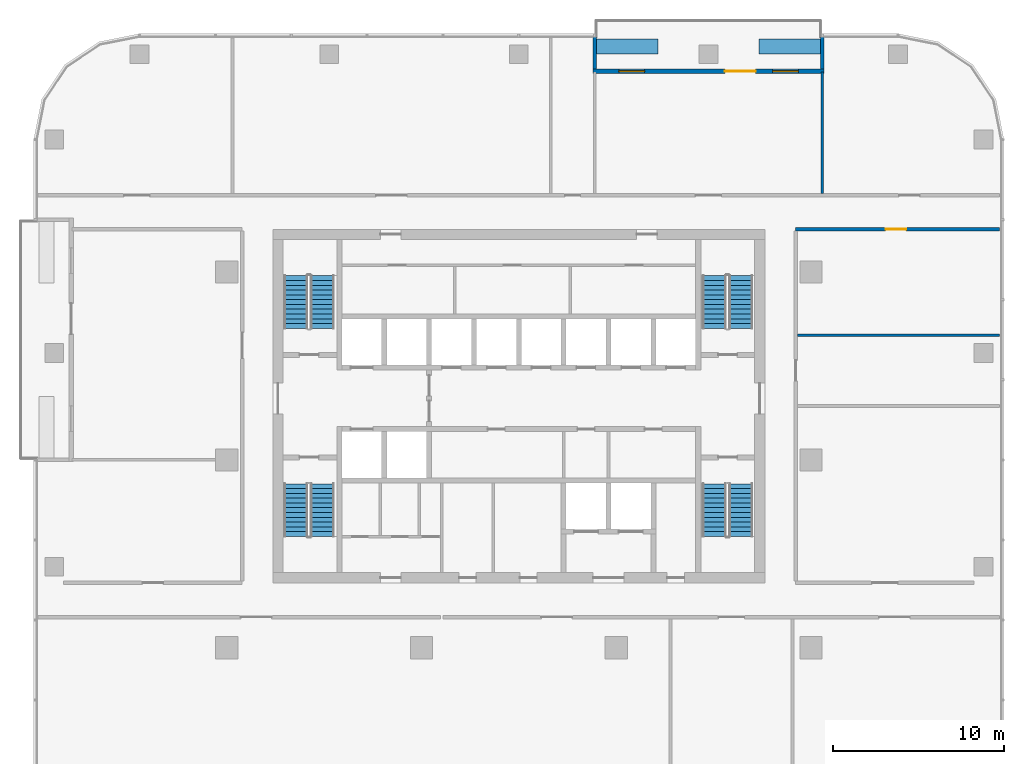
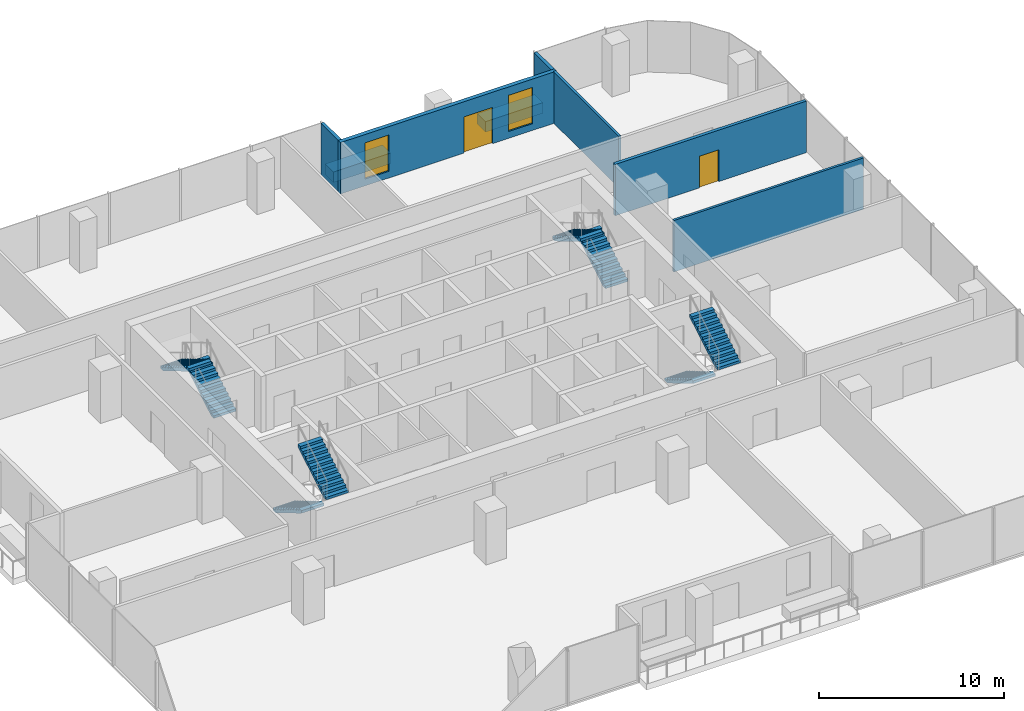
# One storey, part 10 of 14: 8 stair flights, 8 walls, 2 doors, 2 windows, 4 openings, 4 elements without a shape of their own.
"""IFC4 building model written with IfcOpenShell, lengths in metres."""

from ifc_helpers import new_model, si_unit, direction, frame, frame_2d, origin, place, context, subcontext, project, spatial, polyline, rectangle, outline, extrude, material, layer, layer_set, type_object, element, fill, aggregate, save


model = new_model("IFC4")

# Units and contexts
model_context = context("Model", 3, precision=1e-05, world=origin(), true_north=direction((0.0, 1.0)))
body_context = subcontext(model_context, "Body", "Model", "MODEL_VIEW")
ifc_project = project(units=[si_unit("LENGTHUNIT", "METRE"), si_unit("AREAUNIT", "SQUARE_METRE"), si_unit("VOLUMEUNIT", "CUBIC_METRE"), si_unit("PLANEANGLEUNIT", "RADIAN"), si_unit("MASSUNIT", "GRAM", prefix="KILO")], contexts=[model_context])

# Site, building, storey
site_placement = place(None, origin())
site = spatial("IfcSite", under=ifc_project, at=site_placement, CompositionType="ELEMENT")
building_placement = place(site_placement, origin())
building = spatial("IfcBuilding", under=site, at=building_placement, Name="Mopane Tessera Tower", CompositionType="ELEMENT")
storey_placement = place(building_placement, frame((0.0, 0.0, 255.0)))
storey = spatial("IfcBuildingStorey", under=building, at=storey_placement, Name="L55", CompositionType="ELEMENT", Elevation=255.0)

# Wall, opening, door
ifc_material_1 = material(Name="Gypsum board on steel studs, two layers each face, mineral wool infill", Category="steel")
ifc_layer_1 = layer(ifc_material_1, 0.199951171875)
ifc_layer_set_1 = layer_set([ifc_layer_1], Name="Gypsum board on steel studs, two layers each face, mineral wool infill")
wall_type_1 = type_object("IfcWallType", Name="Gypsum board corridor wall 200, rated EI 60", PredefinedType="PARTITIONING", material=ifc_layer_set_1)
wall_1_placement = place(storey_placement, frame((16.199951171875, 13.5, 0.0), z_axis=(0.0, 0.0, 1.0), x_axis=(1.0, 0.0, 0.0)))
wall_1 = element("IfcWall", 1, at=wall_1_placement, inside=storey, type_object=wall_type_1, Name="Partition L55:008", PredefinedType="PARTITIONING", context=body_context, shape_type="SweptSolid", body=[
    extrude(rectangle(XDim=11.949951171875, YDim=0.199951171875, at=frame_2d((5.97509765625, 0.0))), origin(), (0.0, 0.0, 1.0), 3.39990234375),
])
opening_1_placement = place(wall_1_placement, frame((5.27490234375, 0.0, 0.0)))
opening_1 = element("IfcOpeningElement", 2, at=opening_1_placement, cuts=wall_1, Name="Opening L55-07", PredefinedType="OPENING", context=body_context, shape_type="SweptSolid", body=[
    extrude(rectangle(XDim=1.199951171875, YDim=2.10009765625, at=frame_2d((0.60009765625, 1.050048828125))), frame((0.0, 0.112060546875, 0.0), z_axis=(0.0, -1.0, 0.0), x_axis=(1.0, 0.0, 0.0)), (0.0, 0.0, 1.0), 0.223876953125),
])
ifc_material_2 = material(Name="Timber veneered steel-framed fire door", Category="steel")
door_type_1 = type_object("IfcDoorType", Name="Fire door FD60 1200 x 2100", OperationType="SINGLE_SWING_LEFT", PredefinedType="DOOR", material=ifc_material_2)
door_1_placement = place(opening_1_placement, origin())
door_1 = element("IfcDoor", 3, at=door_1_placement, inside=storey, type_object=door_type_1, Name="Door L55-07", ObjectType="D15A", OperationType="SINGLE_SWING_LEFT", OverallHeight=2.10009765625, OverallWidth=1.199951171875, PredefinedType="DOOR", context=body_context, shape_type="SweptSolid", body=[
    extrude(rectangle(XDim=1.199951171875, YDim=2.10009765625, at=frame_2d((0.60009765625, 1.050048828125))), frame((0.0, 0.02490234375, 0.0), z_axis=(0.0, -1.0, 0.0), x_axis=(1.0, 0.0, 0.0)), (0.0, 0.0, 1.0), 0.050048828125),
])
fill(opening_1, door_1)

# Walls
ifc_material_3 = material(Name="Gypsum board on steel studs, mineral wool infill", Category="steel")
ifc_layer_2 = layer(ifc_material_3, 0.14990234375)
ifc_layer_set_2 = layer_set([ifc_layer_2], Name="Gypsum board on steel studs, mineral wool infill")
wall_type_2 = type_object("IfcWallType", Name="Gypsum board partition 150, rated EI 60", PredefinedType="PARTITIONING", material=ifc_layer_set_2)
wall_2_placement = place(storey_placement, frame((16.300048828125, 7.2900390625, 0.0), z_axis=(0.0, 0.0, 1.0), x_axis=(1.0, 0.0, 0.0)))
element("IfcWall", 4, at=wall_2_placement, inside=storey, type_object=wall_type_2, Name="Partition L55:006", PredefinedType="PARTITIONING", context=body_context, shape_type="SweptSolid", body=[
    extrude(rectangle(XDim=11.849853515625, YDim=0.14990234375, at=frame_2d((5.9248046875, 0.0))), origin(), (0.0, 0.0, 1.0), 3.39990234375),
])
wall_3_placement = place(storey_placement, frame((17.760009765625, 15.60009765625, 0.0), z_axis=(0.0, 0.0, 1.0), x_axis=(0.0, 1.0, 0.0)))
element("IfcWall", 5, at=wall_3_placement, inside=storey, type_object=wall_type_2, Name="Partition L55:017", PredefinedType="PARTITIONING", context=body_context, shape_type="SweptSolid", body=[
    extrude(rectangle(XDim=7.099853515625, YDim=0.14990234375, at=frame_2d((3.5498046875, 0.0))), origin(), (0.0, 0.0, 1.0), 3.39990234375),
])
ifc_material_4 = material(Name="Reinforced concrete C32/40 with waterproofing", Category="concrete")
ifc_layer_3 = layer(ifc_material_4, 0.89990234375)
ifc_layer_set_3 = layer_set([ifc_layer_3], Name="Reinforced concrete C32/40 with waterproofing")
wall_type_3 = type_object("IfcWallType", Name="Planter trough 3600 x 900", PredefinedType="STANDARD", material=ifc_layer_set_3)
for number, where, z_axis, x_axis, name in (
    (6, (17.659912109375, 24.199951171875, 0.0), (0.0, 0.0, 1.0), (-1.0, 0.0, 0.0), "e:nw:L55:N2:pl0"),
    (7, (8.139892578125, 24.199951171875, 0.0), (0.0, 0.0, 1.0), (-1.0, 0.0, 0.0), "e:nw:L55:N2:pl1"),
):
    element("IfcWall", number, at=place(storey_placement, frame(where, z_axis=z_axis, x_axis=x_axis)), inside=storey, type_object=wall_type_3, Name=name, PredefinedType="STANDARD", context=body_context, shape_type="SweptSolid", body=[
        extrude(rectangle(XDim=3.599853515625, YDim=0.89990234375, at=frame_2d((1.7998046875, 0.0))), origin(), (0.0, 0.0, 1.0), 0.699951171875),
    ])
ifc_material_5 = material(Name="Blockwork with glazed tile facing", Category="masonry")
ifc_layer_4 = layer(ifc_material_5, 0.199951171875)
ifc_layer_set_4 = layer_set([ifc_layer_4], Name="Blockwork with glazed tile facing")
wall_type_4 = type_object("IfcWallType", Name="Terrace cheek wall 200", PredefinedType="STANDARD", material=ifc_layer_set_4)
for number, where, z_axis, x_axis, name in (
    (8, (17.760009765625, 24.75, 0.0), (0.0, 0.0, 1.0), (0.0, -1.0, 0.0), "e:nw:L55:N2:cheeka"),
    (9, (4.43994140625, 24.75, 0.0), (0.0, 0.0, 1.0), (0.0, -1.0, 0.0), "e:nw:L55:N2:cheekb"),
):
    element("IfcWall", number, at=place(storey_placement, frame(where, z_axis=z_axis, x_axis=x_axis)), inside=storey, type_object=wall_type_4, Name=name, PredefinedType="STANDARD", context=body_context, shape_type="SweptSolid", body=[
        extrude(rectangle(XDim=1.875, YDim=0.199951171875, at=frame_2d((0.9375, 0.0))), origin(), (0.0, 0.0, 1.0), 3.39990234375),
    ])

# Wall, openings, windows, door
ifc_material_6 = material(Name="Blockwork with ochre glazed tile facing", Category="masonry")
ifc_layer_5 = layer(ifc_material_6, 0.25)
ifc_layer_set_5 = layer_set([ifc_layer_5], Name="Blockwork with ochre glazed tile facing")
wall_type_5 = type_object("IfcWallType", Name="Tile-clad external wall 250, ochre", PredefinedType="STANDARD", material=ifc_layer_set_5)
wall_4_placement = place(storey_placement, frame((17.860107421875, 22.75, 0.0), z_axis=(0.0, 0.0, 1.0), x_axis=(-1.0, 0.0, 0.0)))
wall_4 = element("IfcWall", 10, at=wall_4_placement, inside=storey, type_object=wall_type_5, Name="e:nw:L55:N2:back", PredefinedType="STANDARD", context=body_context, shape_type="SweptSolid", body=[
    extrude(rectangle(XDim=13.52001953125, YDim=0.25, at=frame_2d((6.760009765625, 0.0))), origin(), (0.0, 0.0, 1.0), 3.39990234375),
])
opening_2_placement = place(wall_4_placement, frame((1.5, 0.0, 0.449951171875)))
opening_2 = element("IfcOpeningElement", 11, at=opening_2_placement, cuts=wall_4, Name="Opening NW552A", PredefinedType="OPENING", context=body_context, shape_type="SweptSolid", body=[
    extrude(rectangle(XDim=1.5, YDim=2.39990234375, at=frame_2d((0.75, 1.199951171875))), frame((0.0, 0.136962890625, 0.0), z_axis=(0.0, -1.0, 0.0), x_axis=(1.0, 0.0, 0.0)), (0.0, 0.0, 1.0), 0.27392578125),
])
opening_3_placement = place(wall_4_placement, frame((4.0, 0.0, 0.0)))
opening_3 = element("IfcOpeningElement", 12, at=opening_3_placement, cuts=wall_4, Name="Opening ND552", PredefinedType="OPENING", context=body_context, shape_type="SweptSolid", body=[
    extrude(rectangle(XDim=1.800048828125, YDim=2.39990234375, at=frame_2d((0.89990234375, 1.199951171875))), frame((0.0, 0.136962890625, 0.0), z_axis=(0.0, -1.0, 0.0), x_axis=(1.0, 0.0, 0.0)), (0.0, 0.0, 1.0), 0.27392578125),
])
opening_4_placement = place(wall_4_placement, frame((10.5, 0.0, 0.449951171875)))
opening_4 = element("IfcOpeningElement", 13, at=opening_4_placement, cuts=wall_4, Name="Opening NW552B", PredefinedType="OPENING", context=body_context, shape_type="SweptSolid", body=[
    extrude(rectangle(XDim=1.5, YDim=2.39990234375, at=frame_2d((0.75, 1.199951171875))), frame((0.0, 0.136962890625, 0.0), z_axis=(0.0, -1.0, 0.0), x_axis=(1.0, 0.0, 0.0)), (0.0, 0.0, 1.0), 0.27392578125),
])
ifc_material_7 = material(Name="Clear laminated glass", Category="glass")
window_type = type_object("IfcWindowType", Name="Fixed window 1500 x 2400", PartitioningType="SINGLE_PANEL", PredefinedType="WINDOW", material=ifc_material_7)
window_1_placement = place(opening_2_placement, origin())
window_1 = element("IfcWindow", 14, at=window_1_placement, inside=storey, type_object=window_type, Name="e:nw:L55:N2:win0", OverallHeight=2.39990234375, OverallWidth=1.5, PartitioningType="SINGLE_PANEL", PredefinedType="WINDOW", context=body_context, shape_type="SweptSolid", body=[
    extrude(rectangle(XDim=1.5, YDim=2.39990234375, at=frame_2d((0.75, 1.199951171875))), frame((0.0, 0.030029296875, 0.0), z_axis=(0.0, -1.0, 0.0), x_axis=(1.0, 0.0, 0.0)), (0.0, 0.0, 1.0), 0.06005859375),
])
fill(opening_2, window_1)
window_2_placement = place(opening_4_placement, origin())
window_2 = element("IfcWindow", 15, at=window_2_placement, inside=storey, type_object=window_type, Name="e:nw:L55:N2:win2", OverallHeight=2.39990234375, OverallWidth=1.5, PartitioningType="SINGLE_PANEL", PredefinedType="WINDOW", context=body_context, shape_type="SweptSolid", body=[
    extrude(rectangle(XDim=1.5, YDim=2.39990234375, at=frame_2d((0.75, 1.199951171875))), frame((0.0, 0.030029296875, 0.0), z_axis=(0.0, -1.0, 0.0), x_axis=(1.0, 0.0, 0.0)), (0.0, 0.0, 1.0), 0.06005859375),
])
fill(opening_4, window_2)
ifc_material_8 = material(Name="Aluminium and clear glass", Category="aluminium")
door_type_2 = type_object("IfcDoorType", Name="Terrace double door 1800 x 2400", OperationType="DOUBLE_DOOR_SINGLE_SWING", PredefinedType="DOOR", material=ifc_material_8)
door_2_placement = place(opening_3_placement, origin())
door_2 = element("IfcDoor", 16, at=door_2_placement, inside=storey, type_object=door_type_2, Name="e:nw:L55:N2:door", ObjectType="D1", OperationType="DOUBLE_DOOR_SINGLE_SWING", OverallHeight=2.39990234375, OverallWidth=1.800048828125, PredefinedType="DOOR", context=body_context, shape_type="SweptSolid", body=[
    extrude(rectangle(XDim=1.800048828125, YDim=2.39990234375, at=frame_2d((0.89990234375, 1.199951171875))), frame((0.0, 0.02490234375, 0.0), z_axis=(0.0, -1.0, 0.0), x_axis=(1.0, 0.0, 0.0)), (0.0, 0.0, 1.0), 0.050048828125),
])
fill(opening_3, door_2)

# Stair, stair flights
ifc_material_9 = material(Name="Concrete C50/60", Category="concrete")
stair_type = type_object("IfcStairType", Name="Escape stair 1400 mm, riser 167 mm", PredefinedType="HALF_TURN_STAIR", material=ifc_material_9)
stair_1_placement = place(storey_placement, origin())
stair_1 = element("IfcStair", 17, at=stair_1_placement, inside=storey, type_object=stair_type, Name="L55 Escape stair south-west", PredefinedType="HALF_TURN_STAIR")
ifc_material_10 = material(Name="Concrete C50/60", Category="concrete")
stair_flight_type = type_object("IfcStairFlightType", Name="Escape stair flight 1400 mm", PredefinedType="STRAIGHT", material=ifc_material_10)
stair_flight_1_placement = place(storey_placement, frame((-13.050048828125, -1.39990234375, 0.0), z_axis=(0.0, 0.0, 1.0), x_axis=(0.0, -1.0, 0.0)))
stair_flight_1 = element("IfcStairFlight", 18, at=stair_flight_1_placement, type_object=stair_flight_type, Name="ST1 flight 1", NumberOfRisers=12, NumberOfTreads=11, PredefinedType="STRAIGHT", RiserHeight=0.166666667, TreadLength=0.28, context=body_context, shape_type="SweptSolid", body=[
    extrude(outline(polyline([(0.0, 0.0), (0.0, 0.166748046875), (0.280029296875, 0.166748046875), (0.280029296875, 0.333251953125), (0.56005859375, 0.333251953125), (0.56005859375, 0.5), (0.840087890625, 0.5), (0.840087890625, 0.666748046875), (1.1201171875, 0.666748046875), (1.1201171875, 0.833251953125), (1.39990234375, 0.833251953125), (1.39990234375, 1.0), (1.679931640625, 1.0), (1.679931640625, 1.166748046875), (1.9599609375, 1.166748046875), (1.9599609375, 1.333251953125), (2.239990234375, 1.333251953125), (2.239990234375, 1.5), (2.52001953125, 1.5), (2.52001953125, 1.666748046875), (2.800048828125, 1.666748046875), (2.800048828125, 1.833251953125), (3.080078125, 1.833251953125), (3.080078125, 2.0), (3.080078125, 1.658935546875), (0.29296875, 0.0), (0.0, 0.0)])), frame((0.0, 0.699951171875, 0.0), z_axis=(0.0, -1.0, 0.0), x_axis=(1.0, 0.0, 0.0)), (0.0, 0.0, 1.0), 1.39990234375),
])
stair_flight_2_placement = place(storey_placement, frame((-11.5, -4.47998046875, 2.0), z_axis=(0.0, 0.0, 1.0), x_axis=(0.0, 1.0, 0.0)))
stair_flight_2 = element("IfcStairFlight", 19, at=stair_flight_2_placement, type_object=stair_flight_type, Name="ST1 flight 2", NumberOfRisers=12, NumberOfTreads=11, PredefinedType="STRAIGHT", RiserHeight=0.166666667, TreadLength=0.28, context=body_context, shape_type="SweptSolid", body=[
    extrude(outline(polyline([(0.0, 0.0), (0.0, 0.166748046875), (0.280029296875, 0.166748046875), (0.280029296875, 0.333251953125), (0.56005859375, 0.333251953125), (0.56005859375, 0.5), (0.840087890625, 0.5), (0.840087890625, 0.666748046875), (1.1201171875, 0.666748046875), (1.1201171875, 0.833251953125), (1.39990234375, 0.833251953125), (1.39990234375, 1.0), (1.679931640625, 1.0), (1.679931640625, 1.166748046875), (1.9599609375, 1.166748046875), (1.9599609375, 1.333251953125), (2.239990234375, 1.333251953125), (2.239990234375, 1.5), (2.52001953125, 1.5), (2.52001953125, 1.666748046875), (2.800048828125, 1.666748046875), (2.800048828125, 1.833251953125), (3.080078125, 1.833251953125), (3.080078125, 2.0), (3.080078125, 1.658935546875), (0.29296875, 0.0), (0.0, 0.0)])), frame((0.0, 0.699951171875, 0.0), z_axis=(0.0, -1.0, 0.0), x_axis=(1.0, 0.0, 0.0)), (0.0, 0.0, 1.0), 1.39990234375),
])
aggregate(stair_1, [stair_flight_1, stair_flight_2])

stair_2_placement = place(storey_placement, origin())
stair_2 = element("IfcStair", 20, at=stair_2_placement, inside=storey, type_object=stair_type, Name="L55 Escape stair north-west", PredefinedType="HALF_TURN_STAIR")
stair_flight_3_placement = place(storey_placement, frame((-11.5, 7.699951171875, 0.0), z_axis=(0.0, 0.0, 1.0), x_axis=(0.0, 1.0, 0.0)))
stair_flight_3 = element("IfcStairFlight", 21, at=stair_flight_3_placement, type_object=stair_flight_type, Name="ST2 flight 1", NumberOfRisers=12, NumberOfTreads=11, PredefinedType="STRAIGHT", RiserHeight=0.166666667, TreadLength=0.28, context=body_context, shape_type="SweptSolid", body=[
    extrude(outline(polyline([(0.0, 0.0), (0.0, 0.166748046875), (0.280029296875, 0.166748046875), (0.280029296875, 0.333251953125), (0.56005859375, 0.333251953125), (0.56005859375, 0.5), (0.840087890625, 0.5), (0.840087890625, 0.666748046875), (1.1201171875, 0.666748046875), (1.1201171875, 0.833251953125), (1.39990234375, 0.833251953125), (1.39990234375, 1.0), (1.679931640625, 1.0), (1.679931640625, 1.166748046875), (1.9599609375, 1.166748046875), (1.9599609375, 1.333251953125), (2.239990234375, 1.333251953125), (2.239990234375, 1.5), (2.52001953125, 1.5), (2.52001953125, 1.666748046875), (2.800048828125, 1.666748046875), (2.800048828125, 1.833251953125), (3.080078125, 1.833251953125), (3.080078125, 2.0), (3.080078125, 1.658935546875), (0.29296875, 0.0), (0.0, 0.0)])), frame((0.0, 0.699951171875, 0.0), z_axis=(0.0, -1.0, 0.0), x_axis=(1.0, 0.0, 0.0)), (0.0, 0.0, 1.0), 1.39990234375),
])
stair_flight_4_placement = place(storey_placement, frame((-13.050048828125, 10.780029296875, 2.0), z_axis=(0.0, 0.0, 1.0), x_axis=(0.0, -1.0, 0.0)))
stair_flight_4 = element("IfcStairFlight", 22, at=stair_flight_4_placement, type_object=stair_flight_type, Name="ST2 flight 2", NumberOfRisers=12, NumberOfTreads=11, PredefinedType="STRAIGHT", RiserHeight=0.166666667, TreadLength=0.28, context=body_context, shape_type="SweptSolid", body=[
    extrude(outline(polyline([(0.0, 0.0), (0.0, 0.166748046875), (0.280029296875, 0.166748046875), (0.280029296875, 0.333251953125), (0.56005859375, 0.333251953125), (0.56005859375, 0.5), (0.840087890625, 0.5), (0.840087890625, 0.666748046875), (1.1201171875, 0.666748046875), (1.1201171875, 0.833251953125), (1.39990234375, 0.833251953125), (1.39990234375, 1.0), (1.679931640625, 1.0), (1.679931640625, 1.166748046875), (1.9599609375, 1.166748046875), (1.9599609375, 1.333251953125), (2.239990234375, 1.333251953125), (2.239990234375, 1.5), (2.52001953125, 1.5), (2.52001953125, 1.666748046875), (2.800048828125, 1.666748046875), (2.800048828125, 1.833251953125), (3.080078125, 1.833251953125), (3.080078125, 2.0), (3.080078125, 1.658935546875), (0.29296875, 0.0), (0.0, 0.0)])), frame((0.0, 0.699951171875, 0.0), z_axis=(0.0, -1.0, 0.0), x_axis=(1.0, 0.0, 0.0)), (0.0, 0.0, 1.0), 1.39990234375),
])
aggregate(stair_2, [stair_flight_3, stair_flight_4])

stair_3_placement = place(storey_placement, origin())
stair_3 = element("IfcStair", 23, at=stair_3_placement, inside=storey, type_object=stair_type, Name="L55 Escape stair south-east", PredefinedType="HALF_TURN_STAIR")
stair_flight_5_placement = place(storey_placement, frame((11.449951171875, -1.39990234375, 0.0), z_axis=(0.0, 0.0, 1.0), x_axis=(0.0, -1.0, 0.0)))
stair_flight_5 = element("IfcStairFlight", 24, at=stair_flight_5_placement, type_object=stair_flight_type, Name="ST3 flight 1", NumberOfRisers=12, NumberOfTreads=11, PredefinedType="STRAIGHT", RiserHeight=0.166666667, TreadLength=0.28, context=body_context, shape_type="SweptSolid", body=[
    extrude(outline(polyline([(0.0, 0.0), (0.0, 0.166748046875), (0.280029296875, 0.166748046875), (0.280029296875, 0.333251953125), (0.56005859375, 0.333251953125), (0.56005859375, 0.5), (0.840087890625, 0.5), (0.840087890625, 0.666748046875), (1.1201171875, 0.666748046875), (1.1201171875, 0.833251953125), (1.39990234375, 0.833251953125), (1.39990234375, 1.0), (1.679931640625, 1.0), (1.679931640625, 1.166748046875), (1.9599609375, 1.166748046875), (1.9599609375, 1.333251953125), (2.239990234375, 1.333251953125), (2.239990234375, 1.5), (2.52001953125, 1.5), (2.52001953125, 1.666748046875), (2.800048828125, 1.666748046875), (2.800048828125, 1.833251953125), (3.080078125, 1.833251953125), (3.080078125, 2.0), (3.080078125, 1.658935546875), (0.29296875, 0.0), (0.0, 0.0)])), frame((0.0, 0.699951171875, 0.0), z_axis=(0.0, -1.0, 0.0), x_axis=(1.0, 0.0, 0.0)), (0.0, 0.0, 1.0), 1.39990234375),
])
stair_flight_6_placement = place(storey_placement, frame((13.0, -4.47998046875, 2.0), z_axis=(0.0, 0.0, 1.0), x_axis=(0.0, 1.0, 0.0)))
stair_flight_6 = element("IfcStairFlight", 25, at=stair_flight_6_placement, type_object=stair_flight_type, Name="ST3 flight 2", NumberOfRisers=12, NumberOfTreads=11, PredefinedType="STRAIGHT", RiserHeight=0.166666667, TreadLength=0.28, context=body_context, shape_type="SweptSolid", body=[
    extrude(outline(polyline([(0.0, 0.0), (0.0, 0.166748046875), (0.280029296875, 0.166748046875), (0.280029296875, 0.333251953125), (0.56005859375, 0.333251953125), (0.56005859375, 0.5), (0.840087890625, 0.5), (0.840087890625, 0.666748046875), (1.1201171875, 0.666748046875), (1.1201171875, 0.833251953125), (1.39990234375, 0.833251953125), (1.39990234375, 1.0), (1.679931640625, 1.0), (1.679931640625, 1.166748046875), (1.9599609375, 1.166748046875), (1.9599609375, 1.333251953125), (2.239990234375, 1.333251953125), (2.239990234375, 1.5), (2.52001953125, 1.5), (2.52001953125, 1.666748046875), (2.800048828125, 1.666748046875), (2.800048828125, 1.833251953125), (3.080078125, 1.833251953125), (3.080078125, 2.0), (3.080078125, 1.658935546875), (0.29296875, 0.0), (0.0, 0.0)])), frame((0.0, 0.699951171875, 0.0), z_axis=(0.0, -1.0, 0.0), x_axis=(1.0, 0.0, 0.0)), (0.0, 0.0, 1.0), 1.39990234375),
])
aggregate(stair_3, [stair_flight_5, stair_flight_6])

stair_4_placement = place(storey_placement, origin())
stair_4 = element("IfcStair", 26, at=stair_4_placement, inside=storey, type_object=stair_type, Name="L55 Escape stair north-east", PredefinedType="HALF_TURN_STAIR")
stair_flight_7_placement = place(storey_placement, frame((13.0, 7.699951171875, 0.0), z_axis=(0.0, 0.0, 1.0), x_axis=(0.0, 1.0, 0.0)))
stair_flight_7 = element("IfcStairFlight", 27, at=stair_flight_7_placement, type_object=stair_flight_type, Name="ST4 flight 1", NumberOfRisers=12, NumberOfTreads=11, PredefinedType="STRAIGHT", RiserHeight=0.166666667, TreadLength=0.28, context=body_context, shape_type="SweptSolid", body=[
    extrude(outline(polyline([(0.0, 0.0), (0.0, 0.166748046875), (0.280029296875, 0.166748046875), (0.280029296875, 0.333251953125), (0.56005859375, 0.333251953125), (0.56005859375, 0.5), (0.840087890625, 0.5), (0.840087890625, 0.666748046875), (1.1201171875, 0.666748046875), (1.1201171875, 0.833251953125), (1.39990234375, 0.833251953125), (1.39990234375, 1.0), (1.679931640625, 1.0), (1.679931640625, 1.166748046875), (1.9599609375, 1.166748046875), (1.9599609375, 1.333251953125), (2.239990234375, 1.333251953125), (2.239990234375, 1.5), (2.52001953125, 1.5), (2.52001953125, 1.666748046875), (2.800048828125, 1.666748046875), (2.800048828125, 1.833251953125), (3.080078125, 1.833251953125), (3.080078125, 2.0), (3.080078125, 1.658935546875), (0.29296875, 0.0), (0.0, 0.0)])), frame((0.0, 0.699951171875, 0.0), z_axis=(0.0, -1.0, 0.0), x_axis=(1.0, 0.0, 0.0)), (0.0, 0.0, 1.0), 1.39990234375),
])
stair_flight_8_placement = place(storey_placement, frame((11.449951171875, 10.780029296875, 2.0), z_axis=(0.0, 0.0, 1.0), x_axis=(0.0, -1.0, 0.0)))
stair_flight_8 = element("IfcStairFlight", 28, at=stair_flight_8_placement, type_object=stair_flight_type, Name="ST4 flight 2", NumberOfRisers=12, NumberOfTreads=11, PredefinedType="STRAIGHT", RiserHeight=0.166666667, TreadLength=0.28, context=body_context, shape_type="SweptSolid", body=[
    extrude(outline(polyline([(0.0, 0.0), (0.0, 0.166748046875), (0.280029296875, 0.166748046875), (0.280029296875, 0.333251953125), (0.56005859375, 0.333251953125), (0.56005859375, 0.5), (0.840087890625, 0.5), (0.840087890625, 0.666748046875), (1.1201171875, 0.666748046875), (1.1201171875, 0.833251953125), (1.39990234375, 0.833251953125), (1.39990234375, 1.0), (1.679931640625, 1.0), (1.679931640625, 1.166748046875), (1.9599609375, 1.166748046875), (1.9599609375, 1.333251953125), (2.239990234375, 1.333251953125), (2.239990234375, 1.5), (2.52001953125, 1.5), (2.52001953125, 1.666748046875), (2.800048828125, 1.666748046875), (2.800048828125, 1.833251953125), (3.080078125, 1.833251953125), (3.080078125, 2.0), (3.080078125, 1.658935546875), (0.29296875, 0.0), (0.0, 0.0)])), frame((0.0, 0.699951171875, 0.0), z_axis=(0.0, -1.0, 0.0), x_axis=(1.0, 0.0, 0.0)), (0.0, 0.0, 1.0), 1.39990234375),
])
aggregate(stair_4, [stair_flight_7, stair_flight_8])

save(model, "model.ifc")
